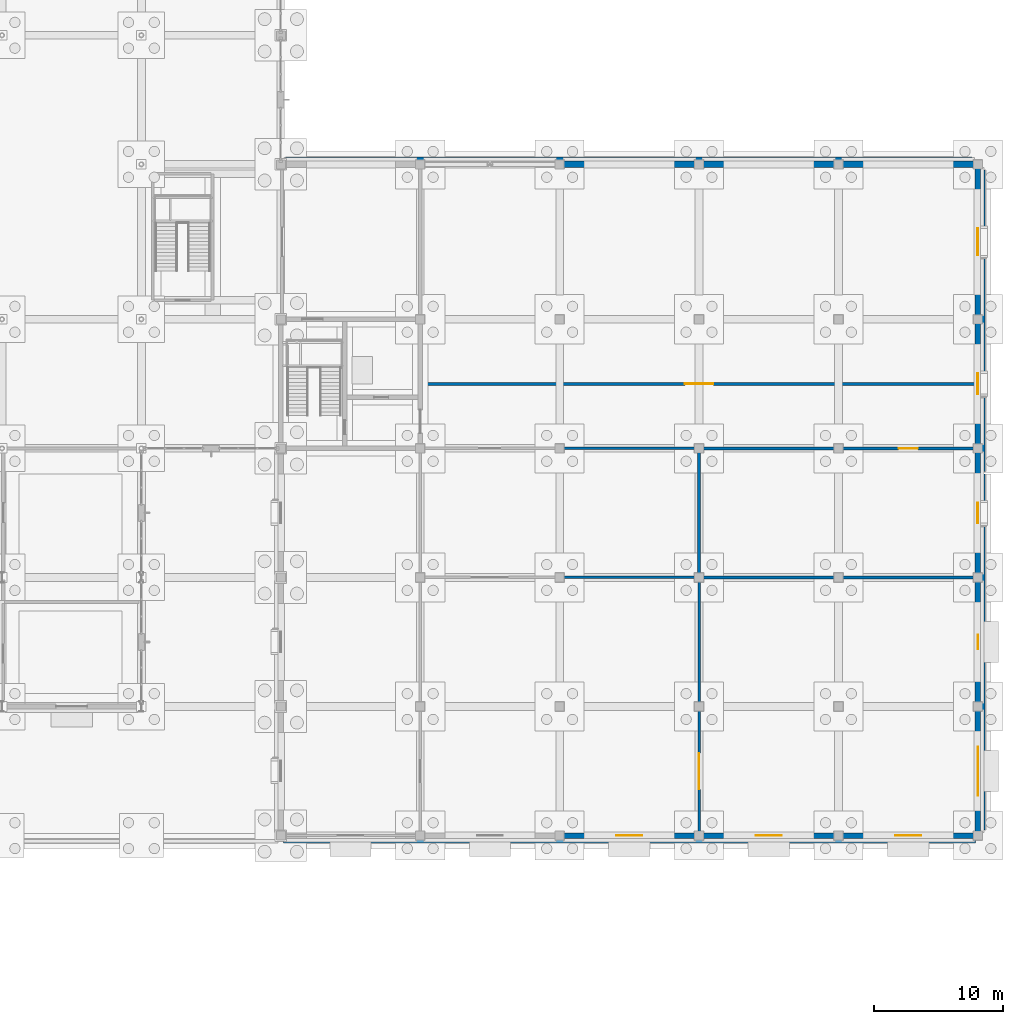
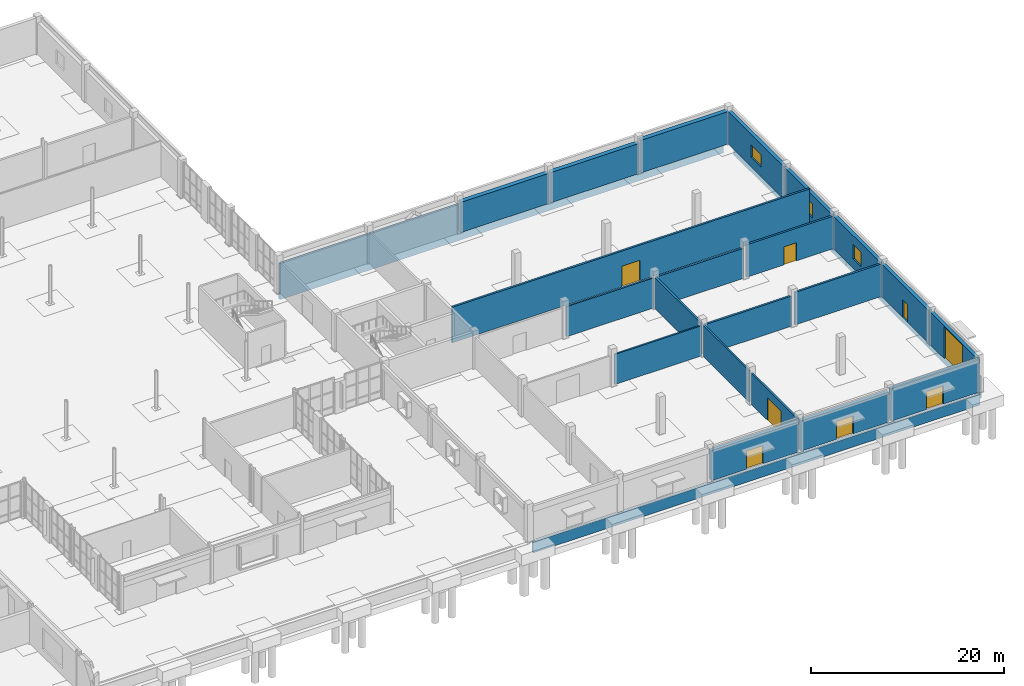
# One storey, part 58 of 73: 25 walls, 8 doors, 3 windows, 11 openings.
"""IFC4 building model written with IfcOpenShell, lengths in metres."""

from ifc_helpers import new_model, si_unit, direction, frame, frame_2d, origin, place, context, subcontext, project, spatial, rectangle, extrude, material, layer, layer_set, type_object, element, fill, save


model = new_model("IFC4")

# Units and contexts
model_context = context("Model", 3, precision=1e-05, world=origin(), true_north=direction((0.0, 1.0)))
body_context = subcontext(model_context, "Body", "Model", "MODEL_VIEW")
ifc_project = project(units=[si_unit("LENGTHUNIT", "METRE"), si_unit("AREAUNIT", "SQUARE_METRE"), si_unit("VOLUMEUNIT", "CUBIC_METRE"), si_unit("PLANEANGLEUNIT", "RADIAN"), si_unit("MASSUNIT", "GRAM", prefix="KILO")], contexts=[model_context])

# Site, building, storey
site_placement = place(None, origin())
site = spatial("IfcSite", under=ifc_project, at=site_placement, CompositionType="ELEMENT")
building_placement = place(site_placement, origin())
building = spatial("IfcBuilding", under=site, at=building_placement, Name="Tasgan Crest Museum", CompositionType="ELEMENT")
storey_placement = place(building_placement, origin())
storey = spatial("IfcBuildingStorey", under=building, at=storey_placement, Name="L00", CompositionType="ELEMENT", Elevation=0.0)

# Wall, opening, door
ifc_material_1 = material(Name="Precast concrete C40/50", Category="concrete")
ifc_layer_1 = layer(ifc_material_1, 0.419921875, Name="WL-EXT-SAND-420")
ifc_layer_set_1 = layer_set([ifc_layer_1], Name="Precast concrete C40/50")
wall_type_1 = type_object("IfcWallType", Name="WL-EXT-SAND-420", PredefinedType="STANDARD", material=ifc_layer_set_1)
wall_1_placement = place(storey_placement, frame((129.7451171875, 10.0, 0.0), z_axis=(0.0, 0.0, 1.0), x_axis=(1.0, 0.0, 0.0)))
wall_1 = element("IfcWall", 1, at=wall_1_placement, inside=storey, type_object=wall_type_1, Name="Exterior wall L00 (135.0,10.0)", PredefinedType="STANDARD", context=body_context, shape_type="SweptSolid", body=[
    extrude(rectangle(XDim=10.509765625, YDim=0.419921875, at=frame_2d((5.2548828125, 0.0))), origin(), (0.0, 0.0, 1.0), 3.819091796875),
])
opening_1_placement = place(wall_1_placement, frame((4.2548828125, 0.0, 0.0)))
opening_1 = element("IfcOpeningElement", 2, at=opening_1_placement, cuts=wall_1, Name="Opening ED007", PredefinedType="OPENING", context=body_context, shape_type="SweptSolid", body=[
    extrude(rectangle(XDim=2.0, YDim=2.300048828125, at=frame_2d((1.0, 1.14990234375))), frame((0.0, 0.219970703125, 0.0), z_axis=(0.0, -1.0, 0.0), x_axis=(1.0, 0.0, 0.0)), (0.0, 0.0, 1.0), 0.43994140625),
])
ifc_material_2 = material(Name="Thermally Broken Insulated Steel and Bronze", Category="steel")
door_type_1 = type_object("IfcDoorType", Name="DR-EXT-EXIT-2000", OperationType="NOTDEFINED", PredefinedType="DOOR", material=ifc_material_2)
door_1_placement = place(opening_1_placement, frame((2.0, 0.0, 0.0), z_axis=(0.0, 0.0, 1.0), x_axis=(-1.0, 0.0, 0.0)))
door_1 = element("IfcDoor", 3, at=door_1_placement, inside=storey, type_object=door_type_1, Name="East courtyard exit discharge door ED007", OperationType="DOUBLE_DOOR_SINGLE_SWING", OverallHeight=2.300048828125, OverallWidth=2.0, PredefinedType="DOOR", context=body_context, shape_type="SweptSolid", body=[
    extrude(rectangle(XDim=2.0, YDim=2.300048828125, at=frame_2d((1.0, 1.14990234375))), frame((0.0, 0.02490234375, 0.0), z_axis=(0.0, -1.0, 0.0), x_axis=(1.0, 0.0, 0.0)), (0.0, 0.0, 1.0), 0.050048828125),
])
fill(opening_1, door_1)

wall_2_placement = place(storey_placement, frame((140.544921875, 10.0, 0.0), z_axis=(0.0, 0.0, 1.0), x_axis=(1.0, 0.0, 0.0)))
wall_2 = element("IfcWall", 4, at=wall_2_placement, inside=storey, type_object=wall_type_1, Name="Exterior wall L00 (145.8,10.0)", PredefinedType="STANDARD", context=body_context, shape_type="SweptSolid", body=[
    extrude(rectangle(XDim=10.510009765625, YDim=0.419921875, at=frame_2d((5.2548828125, 0.0))), origin(), (0.0, 0.0, 1.0), 3.819091796875),
])
opening_2_placement = place(wall_2_placement, frame((4.2548828125, 0.0, 0.0)))
opening_2 = element("IfcOpeningElement", 5, at=opening_2_placement, cuts=wall_2, Name="Opening ED008", PredefinedType="OPENING", context=body_context, shape_type="SweptSolid", body=[
    extrude(rectangle(XDim=2.0, YDim=2.300048828125, at=frame_2d((1.0, 1.14990234375))), frame((0.0, 0.219970703125, 0.0), z_axis=(0.0, -1.0, 0.0), x_axis=(1.0, 0.0, 0.0)), (0.0, 0.0, 1.0), 0.43994140625),
])
door_2_placement = place(opening_2_placement, frame((2.0, 0.0, 0.0), z_axis=(0.0, 0.0, 1.0), x_axis=(-1.0, 0.0, 0.0)))
door_2 = element("IfcDoor", 6, at=door_2_placement, inside=storey, type_object=door_type_1, Name="South-east plant exit door ED008", OperationType="DOUBLE_DOOR_SINGLE_SWING", OverallHeight=2.300048828125, OverallWidth=2.0, PredefinedType="DOOR", context=body_context, shape_type="SweptSolid", body=[
    extrude(rectangle(XDim=2.0, YDim=2.300048828125, at=frame_2d((1.0, 1.14990234375))), frame((0.0, 0.02490234375, 0.0), z_axis=(0.0, -1.0, 0.0), x_axis=(1.0, 0.0, 0.0)), (0.0, 0.0, 1.0), 0.050048828125),
])
fill(opening_2, door_2)

wall_3_placement = place(storey_placement, frame((151.344970703125, 10.0, 0.0), z_axis=(0.0, 0.0, 1.0), x_axis=(1.0, 0.0, 0.0)))
wall_3 = element("IfcWall", 7, at=wall_3_placement, inside=storey, type_object=wall_type_1, Name="Exterior wall L00 (156.6,10.0)", PredefinedType="STANDARD", context=body_context, shape_type="SweptSolid", body=[
    extrude(rectangle(XDim=10.510009765625, YDim=0.419921875, at=frame_2d((5.2548828125, 0.0))), origin(), (0.0, 0.0, 1.0), 4.1298828125),
])
opening_3_placement = place(wall_3_placement, frame((4.2548828125, 0.0, 0.0)))
opening_3 = element("IfcOpeningElement", 8, at=opening_3_placement, cuts=wall_3, Name="Opening ED009", PredefinedType="OPENING", context=body_context, shape_type="SweptSolid", body=[
    extrude(rectangle(XDim=2.0, YDim=2.300048828125, at=frame_2d((1.0, 1.14990234375))), frame((0.0, 0.219970703125, 0.0), z_axis=(0.0, -1.0, 0.0), x_axis=(1.0, 0.0, 0.0)), (0.0, 0.0, 1.0), 0.43994140625),
])
door_3_placement = place(opening_3_placement, frame((2.0, 0.0, 0.0), z_axis=(0.0, 0.0, 1.0), x_axis=(-1.0, 0.0, 0.0)))
door_3 = element("IfcDoor", 9, at=door_3_placement, inside=storey, type_object=door_type_1, Name="South-east plant exit door ED009", OperationType="DOUBLE_DOOR_SINGLE_SWING", OverallHeight=2.300048828125, OverallWidth=2.0, PredefinedType="DOOR", context=body_context, shape_type="SweptSolid", body=[
    extrude(rectangle(XDim=2.0, YDim=2.300048828125, at=frame_2d((1.0, 1.14990234375))), frame((0.0, 0.02490234375, 0.0), z_axis=(0.0, -1.0, 0.0), x_axis=(1.0, 0.0, 0.0)), (0.0, 0.0, 1.0), 0.050048828125),
])
fill(opening_3, door_3)

wall_4_placement = place(storey_placement, frame((162.0, 10.14501953125, 0.0), z_axis=(0.0, 0.0, 1.0), x_axis=(0.0, 1.0, 0.0)))
wall_4 = element("IfcWall", 10, at=wall_4_placement, inside=storey, type_object=wall_type_1, Name="Exterior wall L00 (162.0,15.0)", PredefinedType="STANDARD", context=body_context, shape_type="SweptSolid", body=[
    extrude(rectangle(XDim=9.7099609375, YDim=0.419921875, at=frame_2d((4.85498046875, 0.0))), origin(), (0.0, 0.0, 1.0), 4.1298828125),
])
opening_4_placement = place(wall_4_placement, frame((2.955078125, 0.0, 0.0)))
opening_4 = element("IfcOpeningElement", 11, at=opening_4_placement, cuts=wall_4, Name="Opening ED010", PredefinedType="OPENING", context=body_context, shape_type="SweptSolid", body=[
    extrude(rectangle(XDim=3.800048828125, YDim=4.0, at=frame_2d((1.89990234375, 2.0))), frame((0.0, 0.219970703125, 0.0), z_axis=(0.0, -1.0, 0.0), x_axis=(1.0, 0.0, 0.0)), (0.0, 0.0, 1.0), 0.43994140625),
])
ifc_material_3 = material(Name="Thermally Broken Insulated Steel and Bronze", Category="steel")
door_type_2 = type_object("IfcDoorType", Name="GT-DOCK-3800X4000", OperationType="NOTDEFINED", PredefinedType="GATE", material=ifc_material_3)
door_4_placement = place(opening_4_placement, frame((3.800048828125, 0.0, 0.0), z_axis=(0.0, 0.0, 1.0), x_axis=(-1.0, 0.0, 0.0)))
door_4 = element("IfcDoor", 12, at=door_4_placement, inside=storey, type_object=door_type_2, Name="Loading dock vehicle shutter gate ED010", OperationType="ROLLINGUP", OverallHeight=4.0, OverallWidth=3.800048828125, PredefinedType="GATE", context=body_context, shape_type="SweptSolid", body=[
    extrude(rectangle(XDim=3.800048828125, YDim=4.0, at=frame_2d((1.89990234375, 2.0))), frame((0.0, 0.02490234375, 0.0), z_axis=(0.0, -1.0, 0.0), x_axis=(1.0, 0.0, 0.0)), (0.0, 0.0, 1.0), 0.050048828125),
])
fill(opening_4, door_4)

wall_5_placement = place(storey_placement, frame((162.0, 20.14501953125, 0.0), z_axis=(0.0, 0.0, 1.0), x_axis=(0.0, 1.0, 0.0)))
wall_5 = element("IfcWall", 13, at=wall_5_placement, inside=storey, type_object=wall_type_1, Name="Exterior wall L00 (162.0,25.0)", PredefinedType="STANDARD", context=body_context, shape_type="SweptSolid", body=[
    extrude(rectangle(XDim=9.7099609375, YDim=0.419921875, at=frame_2d((4.85498046875, 0.0))), origin(), (0.0, 0.0, 1.0), 4.1298828125),
])
opening_5_placement = place(wall_5_placement, frame((4.304931640625, 0.0, 0.0)))
opening_5 = element("IfcOpeningElement", 14, at=opening_5_placement, cuts=wall_5, Name="Opening ED011", PredefinedType="OPENING", context=body_context, shape_type="SweptSolid", body=[
    extrude(rectangle(XDim=1.10009765625, YDim=2.199951171875, at=frame_2d((0.550048828125, 1.10009765625))), frame((0.0, 0.219970703125, 0.0), z_axis=(0.0, -1.0, 0.0), x_axis=(1.0, 0.0, 0.0)), (0.0, 0.0, 1.0), 0.43994140625),
])
ifc_material_4 = material(Name="Thermally Broken Insulated Steel and Bronze", Category="steel")
door_type_3 = type_object("IfcDoorType", Name="DR-EXT-SERV-1100", OperationType="NOTDEFINED", PredefinedType="DOOR", material=ifc_material_4)
door_5_placement = place(opening_5_placement, frame((1.10009765625, 0.0, 0.0), z_axis=(0.0, 0.0, 1.0), x_axis=(-1.0, 0.0, 0.0)))
door_5 = element("IfcDoor", 15, at=door_5_placement, inside=storey, type_object=door_type_3, Name="Loading dock personnel exit door ED011", OperationType="SINGLE_SWING_LEFT", OverallHeight=2.199951171875, OverallWidth=1.10009765625, PredefinedType="DOOR", context=body_context, shape_type="SweptSolid", body=[
    extrude(rectangle(XDim=1.10009765625, YDim=2.199951171875, at=frame_2d((0.550048828125, 1.10009765625))), frame((0.0, 0.02490234375, 0.0), z_axis=(0.0, -1.0, 0.0), x_axis=(1.0, 0.0, 0.0)), (0.0, 0.0, 1.0), 0.050048828125),
])
fill(opening_5, door_5)

# Wall, opening, window
wall_6_placement = place(storey_placement, frame((162.0, 30.14501953125, 0.0), z_axis=(0.0, 0.0, 1.0), x_axis=(0.0, 1.0, 0.0)))
wall_6 = element("IfcWall", 16, at=wall_6_placement, inside=storey, type_object=wall_type_1, Name="Exterior wall L00 (162.0,35.0)", PredefinedType="STANDARD", context=body_context, shape_type="SweptSolid", body=[
    extrude(rectangle(XDim=9.7099609375, YDim=0.419921875, at=frame_2d((4.85498046875, 0.0))), origin(), (0.0, 0.0, 1.0), 4.1298828125),
])
opening_6_placement = place(wall_6_placement, frame((4.054931640625, 0.0, 1.199951171875)))
opening_6 = element("IfcOpeningElement", 17, at=opening_6_placement, cuts=wall_6, Name="Opening W11", PredefinedType="OPENING", context=body_context, shape_type="SweptSolid", body=[
    extrude(rectangle(XDim=1.60009765625, YDim=1.800048828125, at=frame_2d((0.800048828125, 0.89990234375))), frame((0.0, 0.219970703125, 0.0), z_axis=(0.0, -1.0, 0.0), x_axis=(1.0, 0.0, 0.0)), (0.0, 0.0, 1.0), 0.43994140625),
])
ifc_material_5 = material(Name="Thermally Broken Triple-Glazed Aluminium", Category="aluminium")
window_type_1 = type_object("IfcWindowType", Name="WN-LAB-1600X1800", PartitioningType="SINGLE_PANEL", PredefinedType="WINDOW", material=ifc_material_5)
window_1_placement = place(opening_6_placement, origin())
window_1 = element("IfcWindow", 18, at=window_1_placement, inside=storey, type_object=window_type_1, Name="Window W11 L00-010", OverallHeight=1.800048828125, OverallWidth=1.60009765625, PartitioningType="SINGLE_PANEL", PredefinedType="WINDOW", context=body_context, shape_type="SweptSolid", body=[
    extrude(rectangle(XDim=1.60009765625, YDim=1.800048828125, at=frame_2d((0.800048828125, 0.89990234375))), frame((0.0, 0.030029296875, 0.0), z_axis=(0.0, -1.0, 0.0), x_axis=(1.0, 0.0, 0.0)), (0.0, 0.0, 1.0), 0.06005859375),
])
fill(opening_6, window_1)

wall_7_placement = place(storey_placement, frame((162.0, 40.14501953125, 0.0), z_axis=(0.0, 0.0, 1.0), x_axis=(0.0, 1.0, 0.0)))
wall_7 = element("IfcWall", 19, at=wall_7_placement, inside=storey, type_object=wall_type_1, Name="Exterior wall L00 (162.0,45.0)", PredefinedType="STANDARD", context=body_context, shape_type="SweptSolid", body=[
    extrude(rectangle(XDim=9.7099609375, YDim=0.419921875, at=frame_2d((4.85498046875, 0.0))), origin(), (0.0, 0.0, 1.0), 4.1298828125),
])
opening_7_placement = place(wall_7_placement, frame((4.054931640625, 0.0, 1.199951171875)))
opening_7 = element("IfcOpeningElement", 20, at=opening_7_placement, cuts=wall_7, Name="Opening W11", PredefinedType="OPENING", context=body_context, shape_type="SweptSolid", body=[
    extrude(rectangle(XDim=1.60009765625, YDim=1.800048828125, at=frame_2d((0.800048828125, 0.89990234375))), frame((0.0, 0.219970703125, 0.0), z_axis=(0.0, -1.0, 0.0), x_axis=(1.0, 0.0, 0.0)), (0.0, 0.0, 1.0), 0.43994140625),
])
window_2_placement = place(opening_7_placement, origin())
window_2 = element("IfcWindow", 21, at=window_2_placement, inside=storey, type_object=window_type_1, Name="Window W11 L00-011", OverallHeight=1.800048828125, OverallWidth=1.60009765625, PartitioningType="SINGLE_PANEL", PredefinedType="WINDOW", context=body_context, shape_type="SweptSolid", body=[
    extrude(rectangle(XDim=1.60009765625, YDim=1.800048828125, at=frame_2d((0.800048828125, 0.89990234375))), frame((0.0, 0.030029296875, 0.0), z_axis=(0.0, -1.0, 0.0), x_axis=(1.0, 0.0, 0.0)), (0.0, 0.0, 1.0), 0.06005859375),
])
fill(opening_7, window_2)

wall_8_placement = place(storey_placement, frame((162.0, 50.14501953125, 0.0), z_axis=(0.0, 0.0, 1.0), x_axis=(0.0, 1.0, 0.0)))
wall_8 = element("IfcWall", 22, at=wall_8_placement, inside=storey, type_object=wall_type_1, Name="Exterior wall L00 (162.0,56.0)", PredefinedType="STANDARD", context=body_context, shape_type="SweptSolid", body=[
    extrude(rectangle(XDim=11.7099609375, YDim=0.419921875, at=frame_2d((5.85498046875, 0.0))), origin(), (0.0, 0.0, 1.0), 4.1298828125),
])
opening_8_placement = place(wall_8_placement, frame((4.804931640625, 0.0, 1.199951171875)))
opening_8 = element("IfcOpeningElement", 23, at=opening_8_placement, cuts=wall_8, Name="Opening W12", PredefinedType="OPENING", context=body_context, shape_type="SweptSolid", body=[
    extrude(rectangle(XDim=2.10009765625, YDim=1.60009765625, at=frame_2d((1.050048828125, 0.800048828125))), frame((0.0, 0.219970703125, 0.0), z_axis=(0.0, -1.0, 0.0), x_axis=(1.0, 0.0, 0.0)), (0.0, 0.0, 1.0), 0.43994140625),
])
ifc_material_6 = material(Name="Thermally Broken Triple-Glazed Aluminium", Category="aluminium")
window_type_2 = type_object("IfcWindowType", Name="WN-LAB-2100X1600", PartitioningType="SINGLE_PANEL", PredefinedType="WINDOW", material=ifc_material_6)
window_3_placement = place(opening_8_placement, origin())
window_3 = element("IfcWindow", 24, at=window_3_placement, inside=storey, type_object=window_type_2, Name="Window W12 L00-012", OverallHeight=1.60009765625, OverallWidth=2.10009765625, PartitioningType="SINGLE_PANEL", PredefinedType="WINDOW", context=body_context, shape_type="SweptSolid", body=[
    extrude(rectangle(XDim=2.10009765625, YDim=1.60009765625, at=frame_2d((1.050048828125, 0.800048828125))), frame((0.0, 0.030029296875, 0.0), z_axis=(0.0, -1.0, 0.0), x_axis=(1.0, 0.0, 0.0)), (0.0, 0.0, 1.0), 0.06005859375),
])
fill(opening_8, window_3)

# Walls
ifc_material_7 = material(Name="Concrete C40/50", Category="concrete")
ifc_layer_2 = layer(ifc_material_7, 0.52001953125, Name="WL-EXT-VAULT-520")
ifc_layer_set_2 = layer_set([ifc_layer_2], Name="Concrete C40/50")
wall_type_2 = type_object("IfcWallType", Name="WL-EXT-VAULT-520", PredefinedType="SOLIDWALL", material=ifc_layer_set_2)
wall_9_placement = place(storey_placement, frame((161.85498046875, 62.0, 0.0), z_axis=(0.0, 0.0, 1.0), x_axis=(-1.0, 0.0, 0.0)))
element("IfcWall", 25, at=wall_9_placement, inside=storey, type_object=wall_type_2, Name="Exterior wall L00 (156.6,62.0)", PredefinedType="SOLIDWALL", context=body_context, shape_type="SweptSolid", body=[
    extrude(rectangle(XDim=10.510009765625, YDim=0.52001953125, at=frame_2d((5.2548828125, 0.0))), origin(), (0.0, 0.0, 1.0), 4.1298828125),
])
wall_10_placement = place(storey_placement, frame((151.054931640625, 62.0, 0.0), z_axis=(0.0, 0.0, 1.0), x_axis=(-1.0, 0.0, 0.0)))
element("IfcWall", 26, at=wall_10_placement, inside=storey, type_object=wall_type_2, Name="Exterior wall L00 (145.8,62.0)", PredefinedType="SOLIDWALL", context=body_context, shape_type="SweptSolid", body=[
    extrude(rectangle(XDim=10.510009765625, YDim=0.52001953125, at=frame_2d((5.2548828125, 0.0))), origin(), (0.0, 0.0, 1.0), 3.819091796875),
])
wall_11_placement = place(storey_placement, frame((140.2548828125, 62.0, 0.0), z_axis=(0.0, 0.0, 1.0), x_axis=(-1.0, 0.0, 0.0)))
element("IfcWall", 27, at=wall_11_placement, inside=storey, type_object=wall_type_2, Name="Exterior wall L00 (135.0,62.0)", PredefinedType="SOLIDWALL", context=body_context, shape_type="SweptSolid", body=[
    extrude(rectangle(XDim=10.509765625, YDim=0.52001953125, at=frame_2d((5.2548828125, 0.0))), origin(), (0.0, 0.0, 1.0), 3.819091796875),
])
ifc_material_8 = material(Name="Concrete C40/50", Category="concrete")
ifc_layer_3 = layer(ifc_material_8, 0.199951171875, Name="WL-FIRE-200")
ifc_layer_set_3 = layer_set([ifc_layer_3], Name="Concrete C40/50")
wall_type_3 = type_object("IfcWallType", Name="WL-FIRE-200", PredefinedType="SOLIDWALL", material=ifc_layer_set_3)
for number, where, z_axis, x_axis, name in (
    (28, (129.800048828125, 30.0, 0.0), (0.0, 0.0, 1.0), (1.0, 0.0, 0.0), "Partition Crate Unpacking and Staging Airlock / Wet Conservation Laboratory L00"),
    (29, (129.800048828125, 40.0, 0.0), (0.0, 0.0, 1.0), (1.0, 0.0, 0.0), "Partition Wet Conservation Laboratory / Collection Logistics Corridor L00"),
):
    element("IfcWall", number, at=place(storey_placement, frame(where, z_axis=z_axis, x_axis=x_axis)), inside=storey, type_object=wall_type_3, Name=name, PredefinedType="SOLIDWALL", context=body_context, shape_type="SweptSolid", body=[
        extrude(rectangle(XDim=10.39990234375, YDim=0.199951171875, at=frame_2d((5.199951171875, 0.0))), origin(), (0.0, 0.0, 1.0), 3.819091796875),
    ])

# Wall, opening, door
wall_12_placement = place(storey_placement, frame((140.39990234375, 10.179931640625, 0.0), z_axis=(0.0, 0.0, 1.0), x_axis=(0.0, 1.0, 0.0)))
wall_12 = element("IfcWall", 30, at=wall_12_placement, inside=storey, type_object=wall_type_3, Name="Partition Artifact Loading Dock / Crate Unpacking and Staging Airlock L00", PredefinedType="SOLIDWALL", context=body_context, shape_type="SweptSolid", body=[
    extrude(rectangle(XDim=9.6201171875, YDim=0.199951171875, at=frame_2d((4.81005859375, 0.0))), origin(), (0.0, 0.0, 1.0), 3.969970703125),
])
opening_9_placement = place(wall_12_placement, frame((3.409912109375, 0.0, 0.0)))
opening_9 = element("IfcOpeningElement", 31, at=opening_9_placement, cuts=wall_12, Name="Opening D029", PredefinedType="OPENING", context=body_context, shape_type="SweptSolid", body=[
    extrude(rectangle(XDim=2.800048828125, YDim=2.89990234375, at=frame_2d((1.39990234375, 1.449951171875))), frame((0.0, 0.10986328125, 0.0), z_axis=(0.0, -1.0, 0.0), x_axis=(1.0, 0.0, 0.0)), (0.0, 0.0, 1.0), 0.219970703125),
])
ifc_material_9 = material(Name="Artifact Staging Security Grille Gate")
door_type_4 = type_object("IfcDoorType", Name="GT-LOG-2800", OperationType="NOTDEFINED", PredefinedType="GATE", material=ifc_material_9)
door_6_placement = place(opening_9_placement, origin())
door_6 = element("IfcDoor", 32, at=door_6_placement, inside=storey, type_object=door_type_4, Name="Artifact Loading Dock door D029", OperationType="DOUBLE_DOOR_SINGLE_SWING", OverallHeight=2.89990234375, OverallWidth=2.800048828125, PredefinedType="GATE", context=body_context, shape_type="SweptSolid", body=[
    extrude(rectangle(XDim=2.800048828125, YDim=2.89990234375, at=frame_2d((1.39990234375, 1.449951171875))), frame((0.0, 0.02490234375, 0.0), z_axis=(0.0, -1.0, 0.0), x_axis=(1.0, 0.0, 0.0)), (0.0, 0.0, 1.0), 0.050048828125),
])
fill(opening_9, door_6)

# Walls
wall_13_placement = place(storey_placement, frame((140.39990234375, 20.199951171875, 0.0), z_axis=(0.0, 0.0, 1.0), x_axis=(0.0, 1.0, 0.0)))
element("IfcWall", 33, at=wall_13_placement, inside=storey, type_object=wall_type_3, Name="Partition Artifact Loading Dock / Crate Unpacking and Staging Airlock L00", PredefinedType="SOLIDWALL", context=body_context, shape_type="SweptSolid", body=[
    extrude(rectangle(XDim=9.60009765625, YDim=0.199951171875, at=frame_2d((4.800048828125, 0.0))), origin(), (0.0, 0.0, 1.0), 3.969970703125),
])
ifc_material_10 = material(Name="Concrete C40/50", Category="concrete")
ifc_layer_4 = layer(ifc_material_10, 0.239990234375, Name="WL-FIRE-240")
ifc_layer_set_4 = layer_set([ifc_layer_4], Name="Concrete C40/50")
wall_type_4 = type_object("IfcWallType", Name="WL-FIRE-240", PredefinedType="SOLIDWALL", material=ifc_layer_set_4)
wall_14_placement = place(storey_placement, frame((140.60009765625, 40.0, 0.0), z_axis=(0.0, 0.0, 1.0), x_axis=(1.0, 0.0, 0.0)))
element("IfcWall", 34, at=wall_14_placement, inside=storey, type_object=wall_type_4, Name="Partition District Heating and AHU Plant Room / Collection Logistics Corridor L00", PredefinedType="SOLIDWALL", context=body_context, shape_type="SweptSolid", body=[
    extrude(rectangle(XDim=10.39990234375, YDim=0.239990234375, at=frame_2d((5.199951171875, 0.0))), origin(), (0.0, 0.0, 1.0), 3.819091796875),
])

# Wall, opening, door
wall_15_placement = place(storey_placement, frame((151.39990234375, 40.0, 0.0), z_axis=(0.0, 0.0, 1.0), x_axis=(1.0, 0.0, 0.0)))
wall_15 = element("IfcWall", 35, at=wall_15_placement, inside=storey, type_object=wall_type_4, Name="Partition District Heating and AHU Plant Room / Collection Logistics Corridor L00", PredefinedType="SOLIDWALL", context=body_context, shape_type="SweptSolid", body=[
    extrude(rectangle(XDim=10.420166015625, YDim=0.239990234375, at=frame_2d((5.2099609375, 0.0))), origin(), (0.0, 0.0, 1.0), 4.1298828125),
])
opening_10_placement = place(wall_15_placement, frame((4.4599609375, 0.0, 0.0)))
opening_10 = element("IfcOpeningElement", 36, at=opening_10_placement, cuts=wall_15, Name="Opening D007", PredefinedType="OPENING", context=body_context, shape_type="SweptSolid", body=[
    extrude(rectangle(XDim=1.5, YDim=2.300048828125, at=frame_2d((0.75, 1.14990234375))), frame((0.0, 0.1298828125, 0.0), z_axis=(0.0, -1.0, 0.0), x_axis=(1.0, 0.0, 0.0)), (0.0, 0.0, 1.0), 0.260009765625),
])
ifc_material_11 = material(Name="Louvred Steel Plant Room Door", Category="steel")
door_type_5 = type_object("IfcDoorType", Name="DR-PLANT-1500", OperationType="NOTDEFINED", PredefinedType="DOOR", material=ifc_material_11)
door_7_placement = place(opening_10_placement, origin())
door_7 = element("IfcDoor", 37, at=door_7_placement, inside=storey, type_object=door_type_5, Name="District Heating and AHU Plant Room door D007", OperationType="SINGLE_SWING_LEFT", OverallHeight=2.300048828125, OverallWidth=1.5, PredefinedType="DOOR", context=body_context, shape_type="SweptSolid", body=[
    extrude(rectangle(XDim=1.5, YDim=2.300048828125, at=frame_2d((0.75, 1.14990234375))), frame((0.0, 0.02490234375, 0.0), z_axis=(0.0, -1.0, 0.0), x_axis=(1.0, 0.0, 0.0)), (0.0, 0.0, 1.0), 0.050048828125),
])
fill(opening_10, door_7)

wall_16_placement = place(storey_placement, frame((118.97998046875, 45.0, 0.0), z_axis=(0.0, 0.0, 1.0), x_axis=(1.0, 0.0, 0.0)))
wall_16 = element("IfcWall", 38, at=wall_16_placement, inside=storey, type_object=wall_type_4, Name="Partition Collection Logistics Corridor / Collection Archive Receiving Vault L00", PredefinedType="SOLIDWALL", context=body_context, shape_type="SweptSolid", body=[
    extrude(rectangle(XDim=42.840087890625, YDim=0.239990234375, at=frame_2d((21.419921875, 0.0))), origin(), (0.0, 0.0, 1.0), 4.52001953125),
])
opening_11_placement = place(wall_16_placement, frame((20.320068359375, 0.0, 0.0)))
opening_11 = element("IfcOpeningElement", 39, at=opening_11_placement, cuts=wall_16, Name="Opening D008", PredefinedType="OPENING", context=body_context, shape_type="SweptSolid", body=[
    extrude(rectangle(XDim=2.199951171875, YDim=2.60009765625, at=frame_2d((1.10009765625, 1.300048828125))), frame((0.0, 0.1298828125, 0.0), z_axis=(0.0, -1.0, 0.0), x_axis=(1.0, 0.0, 0.0)), (0.0, 0.0, 1.0), 0.260009765625),
])
ifc_material_12 = material(Name="Double Specimen Vault Door")
door_type_6 = type_object("IfcDoorType", Name="DR-VAULT-2200", OperationType="NOTDEFINED", PredefinedType="DOOR", material=ifc_material_12)
door_8_placement = place(opening_11_placement, origin())
door_8 = element("IfcDoor", 40, at=door_8_placement, inside=storey, type_object=door_type_6, Name="Collection Archive Receiving Vault door D008", OperationType="DOUBLE_DOOR_SINGLE_SWING", OverallHeight=2.60009765625, OverallWidth=2.199951171875, PredefinedType="DOOR", context=body_context, shape_type="SweptSolid", body=[
    extrude(rectangle(XDim=2.199951171875, YDim=2.60009765625, at=frame_2d((1.10009765625, 1.300048828125))), frame((0.0, 0.02490234375, 0.0), z_axis=(0.0, -1.0, 0.0), x_axis=(1.0, 0.0, 0.0)), (0.0, 0.0, 1.0), 0.050048828125),
])
fill(opening_11, door_8)

# Walls
wall_17_placement = place(storey_placement, frame((140.60009765625, 30.0, 0.0), z_axis=(0.0, 0.0, 1.0), x_axis=(1.0, 0.0, 0.0)))
element("IfcWall", 41, at=wall_17_placement, inside=storey, type_object=wall_type_4, Name="Partition Artifact Loading Dock / District Heating and AHU Plant Room L00", PredefinedType="SOLIDWALL", context=body_context, shape_type="SweptSolid", body=[
    extrude(rectangle(XDim=10.39990234375, YDim=0.239990234375, at=frame_2d((5.199951171875, 0.0))), origin(), (0.0, 0.0, 1.0), 3.819091796875),
])
wall_18_placement = place(storey_placement, frame((151.39990234375, 30.0, 0.0), z_axis=(0.0, 0.0, 1.0), x_axis=(1.0, 0.0, 0.0)))
element("IfcWall", 42, at=wall_18_placement, inside=storey, type_object=wall_type_4, Name="Partition Artifact Loading Dock / District Heating and AHU Plant Room L00", PredefinedType="SOLIDWALL", context=body_context, shape_type="SweptSolid", body=[
    extrude(rectangle(XDim=10.420166015625, YDim=0.239990234375, at=frame_2d((5.2099609375, 0.0))), origin(), (0.0, 0.0, 1.0), 4.1298828125),
])
wall_19_placement = place(storey_placement, frame((140.39990234375, 30.199951171875, 0.0), z_axis=(0.0, 0.0, 1.0), x_axis=(0.0, 1.0, 0.0)))
element("IfcWall", 43, at=wall_19_placement, inside=storey, type_object=wall_type_4, Name="Partition Wet Conservation Laboratory / District Heating and AHU Plant Room L00", PredefinedType="SOLIDWALL", context=body_context, shape_type="SweptSolid", body=[
    extrude(rectangle(XDim=9.6201171875, YDim=0.239990234375, at=frame_2d((4.81005859375, 0.0))), origin(), (0.0, 0.0, 1.0), 3.969970703125),
])
ifc_material_13 = material(Name="Precast concrete C40/50", Category="concrete")
ifc_layer_5 = layer(ifc_material_13, 0.260009765625, Name="WL-PARAPET-260")
ifc_layer_set_5 = layer_set([ifc_layer_5], Name="Precast concrete C40/50")
wall_type_5 = type_object("IfcWallType", Name="WL-PARAPET-260", PredefinedType="PARAPET", material=ifc_layer_set_5)
wall_20_placement = place(storey_placement, frame((108.199951171875, 9.570068359375, -1.3798828125), z_axis=(0.0, 0.0, 1.0), x_axis=(1.0, 0.0, 0.0)))
element("IfcWall", 44, at=wall_20_placement, inside=storey, type_object=wall_type_5, Name="Stepped hillside stone plinth S-EAST", PredefinedType="PARAPET", context=body_context, shape_type="SweptSolid", body=[
    extrude(rectangle(XDim=53.60009765625, YDim=0.260009765625, at=frame_2d((26.800048828125, 0.0))), origin(), (0.0, 0.0, 1.0), 1.35986328125),
])
wall_21_placement = place(storey_placement, frame((162.429931640625, 10.449951171875, -1.3798828125), z_axis=(0.0, 0.0, 1.0), x_axis=(0.0, 1.0, 0.0)))
element("IfcWall", 45, at=wall_21_placement, inside=storey, type_object=wall_type_5, Name="Stepped hillside stone plinth E-LOW", PredefinedType="PARAPET", context=body_context, shape_type="SweptSolid", body=[
    extrude(rectangle(XDim=27.550048828125, YDim=0.260009765625, at=frame_2d((13.77490234375, 0.0))), origin(), (0.0, 0.0, 1.0), 2.77978515625),
])
wall_22_placement = place(storey_placement, frame((162.429931640625, 38.199951171875, -1.3798828125), z_axis=(0.0, 0.0, 1.0), x_axis=(0.0, 1.0, 0.0)))
element("IfcWall", 46, at=wall_22_placement, inside=storey, type_object=wall_type_5, Name="Stepped hillside stone plinth E-MID", PredefinedType="PARAPET", context=body_context, shape_type="SweptSolid", body=[
    extrude(rectangle(XDim=23.35009765625, YDim=0.260009765625, at=frame_2d((11.675048828125, 0.0))), origin(), (0.0, 0.0, 1.0), 4.179931640625),
])
wall_23_placement = place(storey_placement, frame((108.35009765625, 62.429931640625, -1.3798828125), z_axis=(0.0, 0.0, 1.0), x_axis=(1.0, 0.0, 0.0)))
element("IfcWall", 47, at=wall_23_placement, inside=storey, type_object=wall_type_5, Name="Stepped hillside stone plinth N-EAST", PredefinedType="PARAPET", context=body_context, shape_type="SweptSolid", body=[
    extrude(rectangle(XDim=53.199951171875, YDim=0.260009765625, at=frame_2d((26.60009765625, 0.0))), origin(), (0.0, 0.0, 1.0), 4.579833984375),
])

save(model, "model.ifc")
